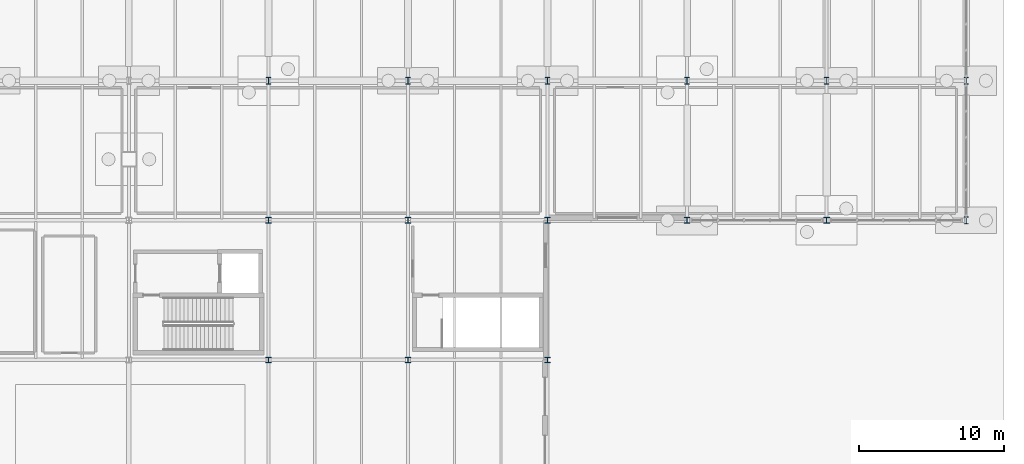
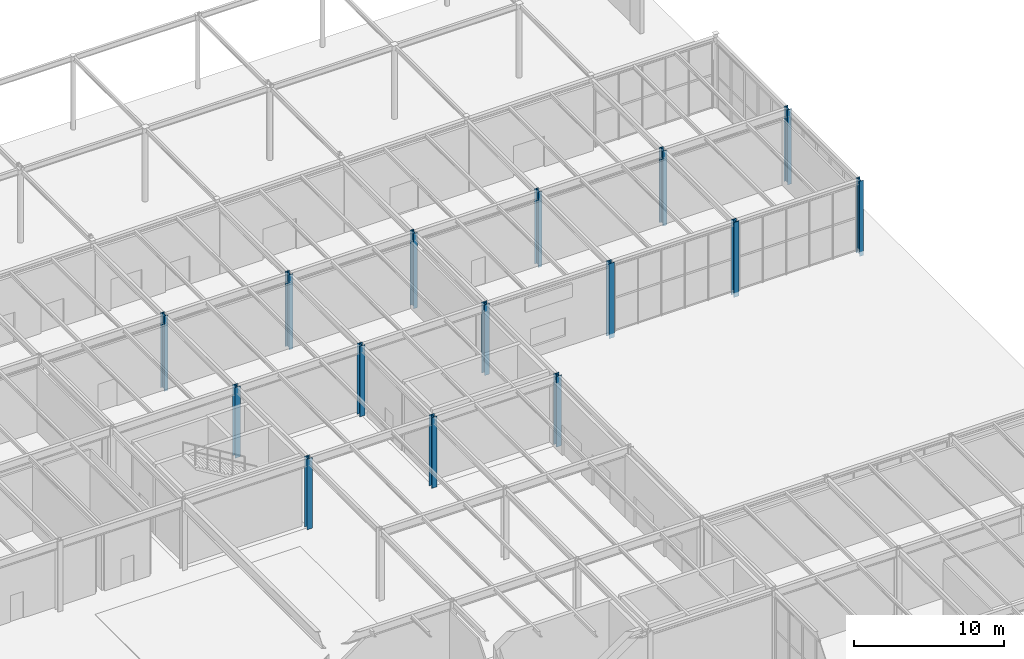
# One storey, part 25 of 142: 15 columns.
"""IFC4 building model written with IfcOpenShell, lengths in metres."""

from ifc_helpers import new_model, si_unit, direction, frame, origin, origin_2d, place, context, subcontext, project, spatial, i_section, extrude, material, material_profile, profile_set, type_object, element, save


model = new_model("IFC4")

# Units and contexts
model_context = context("Model", 3, precision=1e-05, world=origin(), true_north=direction((0.0, 1.0)))
body_context = subcontext(model_context, "Body", "Model", "MODEL_VIEW")
ifc_project = project(units=[si_unit("LENGTHUNIT", "METRE"), si_unit("AREAUNIT", "SQUARE_METRE"), si_unit("VOLUMEUNIT", "CUBIC_METRE"), si_unit("PLANEANGLEUNIT", "RADIAN"), si_unit("MASSUNIT", "GRAM", prefix="KILO")], contexts=[model_context])

# Site, building, storey
site_placement = place(None, origin())
site = spatial("IfcSite", under=ifc_project, at=site_placement, CompositionType="ELEMENT")
building_placement = place(site_placement, origin())
building = spatial("IfcBuilding", under=site, at=building_placement, Name="Coralgate Yard Interchange", CompositionType="ELEMENT")
storey_placement = place(building_placement, origin())
storey = spatial("IfcBuildingStorey", under=building, at=storey_placement, Name="L00", CompositionType="ELEMENT", Elevation=0.0)

# Columns
ifc_material = material(Name="Structural steel S355J2", Category="steel")
ifc_material_profile_1 = material_profile(ifc_material, i_section(OverallWidth=0.39892578125, OverallDepth=0.3935546875, WebThickness=0.022705078125, FlangeThickness=0.03662109375, FilletRadius=0.01513671875, at=origin_2d()), Name="UC 356x406x287")
ifc_profile_set_1 = profile_set([ifc_material_profile_1], Name="Structural steel S355J2")
column_type_1 = type_object("IfcColumnType", Name="COL-SC-1", PredefinedType="COLUMN", material=ifc_profile_set_1)
for number, where, z_axis, x_axis, name in (
    (1, (134.39990234375, 67.199951171875, 0.0), (0.0, 0.0, 1.0), (1.0, 0.0, 0.0), "L00 structural column 14-7"),
    (2, (134.39990234375, 76.800048828125, 0.0), (0.0, 0.0, 1.0), (1.0, 0.0, 0.0), "L00 structural column 14-8"),
    (3, (144.0, 67.199951171875, 0.0), (0.0, 0.0, 1.0), (1.0, 0.0, 0.0), "L00 structural column 15-7"),
    (4, (144.0, 76.800048828125, 0.0), (0.0, 0.0, 1.0), (1.0, 0.0, 0.0), "L00 structural column 15-8"),
    (5, (153.60009765625, 67.199951171875, 0.0), (0.0, 0.0, 1.0), (1.0, 0.0, 0.0), "L00 structural column 16-7"),
    (6, (153.60009765625, 76.800048828125, 0.0), (0.0, 0.0, 1.0), (1.0, 0.0, 0.0), "L00 structural column 16-8"),
):
    element("IfcColumn", number, at=place(storey_placement, frame(where, z_axis=z_axis, x_axis=x_axis)), inside=storey, type_object=column_type_1, Name=name, PredefinedType="COLUMN", context=body_context, shape_type="SweptSolid", body=[
        extrude(i_section(OverallWidth=0.39892578125, OverallDepth=0.3935546875, WebThickness=0.022705078125, FlangeThickness=0.03662109375, FilletRadius=0.01513671875, at=origin_2d()), origin(), (0.0, 0.0, 1.0), 5.75),
    ])
for number, where, z_axis, x_axis, name in (
    (7, (163.199951171875, 76.800048828125, -0.360107421875), (0.0, 0.0, 1.0), (1.0, 0.0, 0.0), "L00 structural column 17-8"),
    (8, (172.800048828125, 76.800048828125, -0.360107421875), (0.0, 0.0, 1.0), (1.0, 0.0, 0.0), "L00 structural column 18-8"),
):
    element("IfcColumn", number, at=place(storey_placement, frame(where, z_axis=z_axis, x_axis=x_axis)), inside=storey, type_object=column_type_1, Name=name, PredefinedType="COLUMN", context=body_context, shape_type="SweptSolid", body=[
        extrude(i_section(OverallWidth=0.39892578125, OverallDepth=0.3935546875, WebThickness=0.022705078125, FlangeThickness=0.03662109375, FilletRadius=0.01513671875, at=origin_2d()), origin(), (0.0, 0.0, 1.0), 6.110107421875),
    ])
ifc_material_profile_2 = material_profile(ifc_material, i_section(OverallWidth=0.300048828125, OverallDepth=0.5, WebThickness=0.014404296875, FlangeThickness=0.028076171875, FilletRadius=0.027099609375, at=origin_2d()), Name="HEB 500")
ifc_profile_set_2 = profile_set([ifc_material_profile_2], Name="Structural steel S355J2")
column_type_2 = type_object("IfcColumnType", Name="COL-SC-10", PredefinedType="COLUMN", material=ifc_profile_set_2)
for number, where, z_axis, x_axis, name in (
    (9, (134.39990234375, 86.39990234375, -0.360107421875), (0.0, 0.0, 1.0), (1.0, 0.0, 0.0), "L00 structural column 14-9"),
    (10, (144.0, 86.39990234375, -0.360107421875), (0.0, 0.0, 1.0), (1.0, 0.0, 0.0), "L00 structural column 15-9"),
    (11, (153.60009765625, 86.39990234375, -0.360107421875), (0.0, 0.0, 1.0), (1.0, 0.0, 0.0), "L00 structural column 16-9"),
    (12, (163.199951171875, 86.39990234375, -0.360107421875), (0.0, 0.0, 1.0), (1.0, 0.0, 0.0), "L00 structural column 17-9"),
    (13, (172.800048828125, 86.39990234375, -0.360107421875), (0.0, 0.0, 1.0), (1.0, 0.0, 0.0), "L00 structural column 18-9"),
    (14, (182.39990234375, 76.800048828125, -0.360107421875), (0.0, 0.0, 1.0), (1.0, 0.0, 0.0), "L00 structural column 19-8"),
    (15, (182.39990234375, 86.39990234375, -0.360107421875), (0.0, 0.0, 1.0), (1.0, 0.0, 0.0), "L00 structural column 19-9"),
):
    element("IfcColumn", number, at=place(storey_placement, frame(where, z_axis=z_axis, x_axis=x_axis)), inside=storey, type_object=column_type_2, Name=name, PredefinedType="COLUMN", context=body_context, shape_type="SweptSolid", body=[
        extrude(i_section(OverallWidth=0.300048828125, OverallDepth=0.5, WebThickness=0.014404296875, FlangeThickness=0.028076171875, FilletRadius=0.027099609375, at=origin_2d()), origin(), (0.0, 0.0, 1.0), 6.110107421875),
    ])

save(model, "model.ifc")
